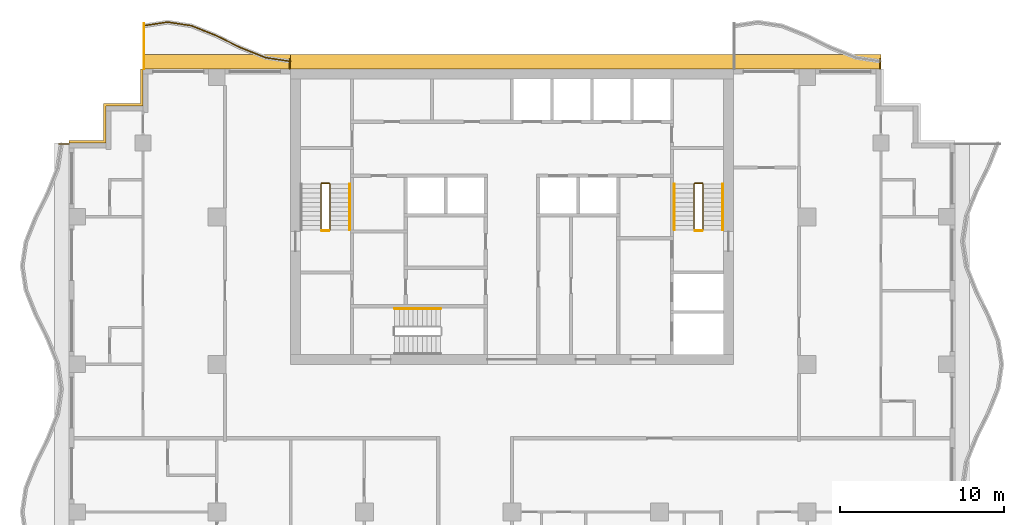
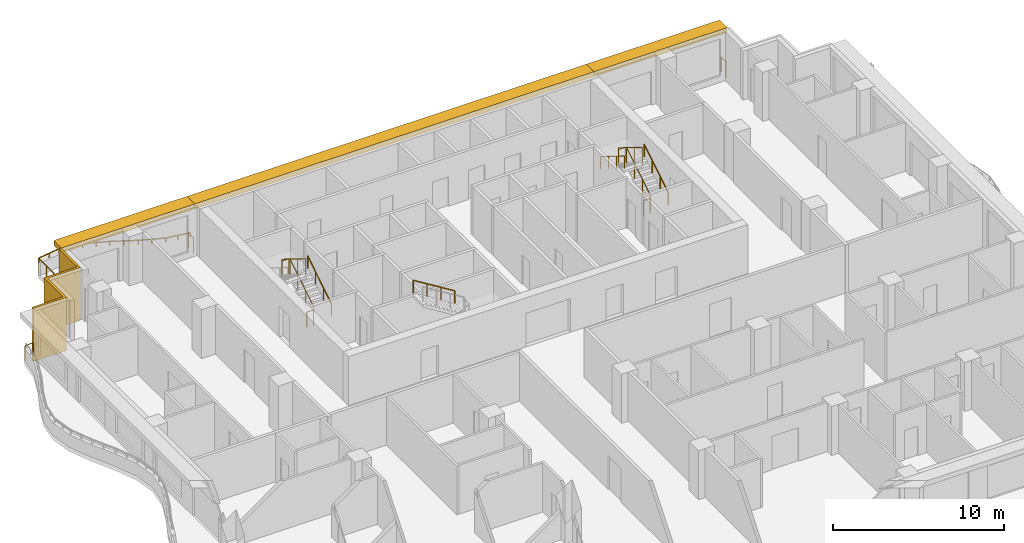
# One storey, part 11 of 12: 13 railings, 4 shading devices.
"""IFC4 building model written with IfcOpenShell, lengths in metres."""

from ifc_helpers import new_model, si_unit, direction, frame, origin, origin_2d, place, context, subcontext, project, spatial, polyline, rectangle, circle, outline, extrude, material, layer, layer_set, type_object, element, save


model = new_model("IFC4")

# Units and contexts
model_context = context("Model", 3, precision=1e-05, world=origin(), true_north=direction((0.0, 1.0)))
body_context = subcontext(model_context, "Body", "Model", "MODEL_VIEW")
ifc_project = project(units=[si_unit("LENGTHUNIT", "METRE"), si_unit("AREAUNIT", "SQUARE_METRE"), si_unit("VOLUMEUNIT", "CUBIC_METRE"), si_unit("PLANEANGLEUNIT", "RADIAN"), si_unit("MASSUNIT", "GRAM", prefix="KILO")], contexts=[model_context])

# Site, building, storey
site_placement = place(None, origin())
site = spatial("IfcSite", under=ifc_project, at=site_placement, CompositionType="ELEMENT")
building_placement = place(site_placement, origin())
building = spatial("IfcBuilding", under=site, at=building_placement, Name="Orbiselva Terraces", CompositionType="ELEMENT")
storey_placement = place(building_placement, frame((0.0, 0.0, 203.4)))
storey = spatial("IfcBuildingStorey", under=building, at=storey_placement, Name="L51", CompositionType="ELEMENT", Elevation=203.4)

# Railings
ifc_material_1 = material(Name="Stainless steel", Category="steel")
railing_type_1 = type_object("IfcRailingType", Name="CORE-GUARD-1100", PredefinedType="GUARDRAIL", material=ifc_material_1)
railing_1_placement = place(storey_placement, frame((-11.1, 12.7, 0.172727)))
element("IfcRailing", 1, at=railing_1_placement, inside=storey, type_object=railing_type_1, Name="L51 S1 stair guard 1", PredefinedType="GUARDRAIL", context=body_context, shape_type="SweptSolid", body=[
    extrude(circle(Radius=0.024, at=origin_2d()), frame((0.0, 0.0, 1.081), z_axis=(0.0, 0.851088519012, 0.52502222125), x_axis=(-1.0, 0.0, 0.0)), (0.0, 0.0, 1.0), 3.289905),
    extrude(circle(Radius=0.024, at=origin_2d()), frame((0.0, 2.8, 2.808273), z_axis=(-0.707106781187, 0.707106781187, 0.0), x_axis=(-0.707106781187, -0.707106781187, 0.0)), (0.0, 0.0, 1.0), 0.070711),
    extrude(circle(Radius=0.024, at=origin_2d()), frame((-0.05, 2.85, 2.808273), z_axis=(-1.0, 0.0, 0.0), x_axis=(0.0, -1.0, 0.0)), (0.0, 0.0, 1.0), 0.45),
    extrude(circle(Radius=0.024, at=origin_2d()), frame((-0.5, 2.85, 2.808273), z_axis=(-0.267894925557, -0.267894925557, 0.925453736133), x_axis=(0.707106781187, -0.707106781187, 0.0)), (0.0, 0.0, 1.0), 0.18664),
    extrude(circle(Radius=0.024, at=origin_2d()), frame((-0.55, 2.8, 2.981), z_axis=(0.0, -0.851088519012, 0.52502222125), x_axis=(1.0, 0.0, 0.0)), (0.0, 0.0, 1.0), 3.289905),
    extrude(circle(Radius=0.021, at=origin_2d()), origin(), (0.0, 0.0, 1.0), 1.057),
    extrude(circle(Radius=0.021, at=origin_2d()), frame((0.0, 0.933333, 0.575758)), (0.0, 0.0, 1.0), 1.057),
    extrude(circle(Radius=0.021, at=origin_2d()), frame((0.0, 1.866667, 1.151515)), (0.0, 0.0, 1.0), 1.057),
    extrude(circle(Radius=0.021, at=origin_2d()), frame((0.0, 2.8, 1.727273)), (0.0, 0.0, 1.0), 1.057),
    extrude(circle(Radius=0.021, at=origin_2d()), frame((-0.05, 2.85, 1.727273)), (0.0, 0.0, 1.0), 1.057),
    extrude(circle(Radius=0.021, at=origin_2d()), frame((-0.5, 2.85, 1.727273)), (0.0, 0.0, 1.0), 1.057),
    extrude(circle(Radius=0.021, at=origin_2d()), frame((-0.55, 2.8, 1.9)), (0.0, 0.0, 1.0), 1.057),
    extrude(circle(Radius=0.021, at=origin_2d()), frame((-0.55, 1.866667, 2.475758)), (0.0, 0.0, 1.0), 1.057),
    extrude(circle(Radius=0.021, at=origin_2d()), frame((-0.55, 0.933333, 3.051515)), (0.0, 0.0, 1.0), 1.057),
    extrude(circle(Radius=0.021, at=origin_2d()), frame((-0.55, 0.0, 3.627273)), (0.0, 0.0, 1.0), 1.057),
])
railing_2_placement = place(storey_placement, frame((-11.15, 12.65, 0.0)))
element("IfcRailing", 2, at=railing_2_placement, inside=storey, type_object=railing_type_1, Name="L51 S1 stair guard 2", PredefinedType="GUARDRAIL", context=body_context, shape_type="SweptSolid", body=[
    extrude(circle(Radius=0.024, at=origin_2d()), frame((0.0, 0.0, 1.081), z_axis=(-1.0, 0.0, 0.0), x_axis=(0.0, -1.0, 0.0)), (0.0, 0.0, 1.0), 0.45),
    extrude(circle(Radius=0.021, at=origin_2d()), origin(), (0.0, 0.0, 1.0), 1.057),
    extrude(circle(Radius=0.021, at=origin_2d()), frame((-0.45, 0.0, 0.0)), (0.0, 0.0, 1.0), 1.057),
])
railing_3_placement = place(storey_placement, frame((11.65, 12.7, 0.172727)))
element("IfcRailing", 3, at=railing_3_placement, inside=storey, type_object=railing_type_1, Name="L51 S2 stair guard 1", PredefinedType="GUARDRAIL", context=body_context, shape_type="SweptSolid", body=[
    extrude(circle(Radius=0.024, at=origin_2d()), frame((0.0, 0.0, 1.081), z_axis=(0.0, 0.851088519012, 0.52502222125), x_axis=(-1.0, 0.0, 0.0)), (0.0, 0.0, 1.0), 3.289905),
    extrude(circle(Radius=0.024, at=origin_2d()), frame((0.0, 2.8, 2.808273), z_axis=(-0.707106781187, 0.707106781187, 0.0), x_axis=(-0.707106781187, -0.707106781187, 0.0)), (0.0, 0.0, 1.0), 0.070711),
    extrude(circle(Radius=0.024, at=origin_2d()), frame((-0.05, 2.85, 2.808273), z_axis=(-1.0, 0.0, 0.0), x_axis=(0.0, -1.0, 0.0)), (0.0, 0.0, 1.0), 0.45),
    extrude(circle(Radius=0.024, at=origin_2d()), frame((-0.5, 2.85, 2.808273), z_axis=(-0.267894925557, -0.267894925557, 0.925453736133), x_axis=(0.707106781187, -0.707106781187, 0.0)), (0.0, 0.0, 1.0), 0.18664),
    extrude(circle(Radius=0.024, at=origin_2d()), frame((-0.55, 2.8, 2.981), z_axis=(0.0, -0.851088519012, 0.52502222125), x_axis=(1.0, 0.0, 0.0)), (0.0, 0.0, 1.0), 3.289905),
    extrude(circle(Radius=0.021, at=origin_2d()), origin(), (0.0, 0.0, 1.0), 1.057),
    extrude(circle(Radius=0.021, at=origin_2d()), frame((0.0, 0.933333, 0.575758)), (0.0, 0.0, 1.0), 1.057),
    extrude(circle(Radius=0.021, at=origin_2d()), frame((0.0, 1.866667, 1.151515)), (0.0, 0.0, 1.0), 1.057),
    extrude(circle(Radius=0.021, at=origin_2d()), frame((0.0, 2.8, 1.727273)), (0.0, 0.0, 1.0), 1.057),
    extrude(circle(Radius=0.021, at=origin_2d()), frame((-0.05, 2.85, 1.727273)), (0.0, 0.0, 1.0), 1.057),
    extrude(circle(Radius=0.021, at=origin_2d()), frame((-0.5, 2.85, 1.727273)), (0.0, 0.0, 1.0), 1.057),
    extrude(circle(Radius=0.021, at=origin_2d()), frame((-0.55, 2.8, 1.9)), (0.0, 0.0, 1.0), 1.057),
    extrude(circle(Radius=0.021, at=origin_2d()), frame((-0.55, 1.866667, 2.475758)), (0.0, 0.0, 1.0), 1.057),
    extrude(circle(Radius=0.021, at=origin_2d()), frame((-0.55, 0.933333, 3.051515)), (0.0, 0.0, 1.0), 1.057),
    extrude(circle(Radius=0.021, at=origin_2d()), frame((-0.55, 0.0, 3.627273)), (0.0, 0.0, 1.0), 1.057),
])
railing_4_placement = place(storey_placement, frame((11.6, 12.65, 0.0)))
element("IfcRailing", 4, at=railing_4_placement, inside=storey, type_object=railing_type_1, Name="L51 S2 stair guard 2", PredefinedType="GUARDRAIL", context=body_context, shape_type="SweptSolid", body=[
    extrude(circle(Radius=0.024, at=origin_2d()), frame((0.0, 0.0, 1.081), z_axis=(-1.0, 0.0, 0.0), x_axis=(0.0, -1.0, 0.0)), (0.0, 0.0, 1.0), 0.45),
    extrude(circle(Radius=0.021, at=origin_2d()), origin(), (0.0, 0.0, 1.0), 1.057),
    extrude(circle(Radius=0.021, at=origin_2d()), frame((-0.45, 0.0, 0.0)), (0.0, 0.0, 1.0), 1.057),
])
railing_type_2 = type_object("IfcRailingType", Name="CORE-HANDRAIL-900", PredefinedType="HANDRAIL", material=ifc_material_1)
for number, where, name in (
    (5, (-9.9, 12.7, 0.172727), "L51 S1 stair handrail 1"),
    (6, (12.85, 12.7, 0.172727), "L51 S2 stair handrail 1"),
):
    element("IfcRailing", number, at=place(storey_placement, frame(where)), inside=storey, type_object=railing_type_2, Name=name, PredefinedType="HANDRAIL", context=body_context, shape_type="SweptSolid", body=[
        extrude(circle(Radius=0.024, at=origin_2d()), frame((0.0, 0.0, 0.876), z_axis=(0.0, 0.851088519012, 0.52502222125), x_axis=(-1.0, 0.0, 0.0)), (0.0, 0.0, 1.0), 3.289905),
        extrude(circle(Radius=0.021, at=origin_2d()), origin(), (0.0, 0.0, 1.0), 0.852),
        extrude(circle(Radius=0.021, at=origin_2d()), frame((0.0, 0.933333, 0.575758)), (0.0, 0.0, 1.0), 0.852),
        extrude(circle(Radius=0.021, at=origin_2d()), frame((0.0, 1.866667, 1.151515)), (0.0, 0.0, 1.0), 0.852),
        extrude(circle(Radius=0.021, at=origin_2d()), frame((0.0, 2.8, 1.727273)), (0.0, 0.0, 1.0), 0.852),
    ])
railing_5_placement = place(storey_placement, frame((9.9, 15.5, 2.072727)))
element("IfcRailing", 7, at=railing_5_placement, inside=storey, type_object=railing_type_2, Name="L51 S2 stair handrail 2", PredefinedType="HANDRAIL", context=body_context, shape_type="SweptSolid", body=[
    extrude(circle(Radius=0.024, at=origin_2d()), frame((0.0, 0.0, 0.876), z_axis=(0.0, -0.851088519012, 0.52502222125), x_axis=(1.0, 0.0, 0.0)), (0.0, 0.0, 1.0), 3.289905),
    extrude(circle(Radius=0.021, at=origin_2d()), origin(), (0.0, 0.0, 1.0), 0.852),
    extrude(circle(Radius=0.021, at=origin_2d()), frame((0.0, -0.933333, 0.575758)), (0.0, 0.0, 1.0), 0.852),
    extrude(circle(Radius=0.021, at=origin_2d()), frame((0.0, -1.866667, 1.151515)), (0.0, 0.0, 1.0), 0.852),
    extrude(circle(Radius=0.021, at=origin_2d()), frame((0.0, -2.8, 1.727273)), (0.0, 0.0, 1.0), 0.852),
])
railing_6_placement = place(storey_placement, frame((-4.35, 7.9, 2.072727)))
element("IfcRailing", 8, at=railing_6_placement, inside=storey, type_object=railing_type_2, Name="L51 S3 stair handrail 2", PredefinedType="HANDRAIL", context=body_context, shape_type="SweptSolid", body=[
    extrude(circle(Radius=0.024, at=origin_2d()), frame((0.0, 0.0, 0.876), z_axis=(-0.851088519012, 0.0, 0.52502222125), x_axis=(0.0, -1.0, 0.0)), (0.0, 0.0, 1.0), 3.289905),
    extrude(circle(Radius=0.021, at=origin_2d()), origin(), (0.0, 0.0, 1.0), 0.852),
    extrude(circle(Radius=0.021, at=origin_2d()), frame((-0.933333, 0.0, 0.575758)), (0.0, 0.0, 1.0), 0.852),
    extrude(circle(Radius=0.021, at=origin_2d()), frame((-1.866667, 0.0, 1.151515)), (0.0, 0.0, 1.0), 0.852),
    extrude(circle(Radius=0.021, at=origin_2d()), frame((-2.8, 0.0, 1.727273)), (0.0, 0.0, 1.0), 0.852),
])
ifc_material_2 = material(Name="Bonded two-ply safety glass balustrade, stainless steel posts", Category="steel")
railing_type_3 = type_object("IfcRailingType", Name="ENV-BALUSTRADE-1200", PredefinedType="BALUSTRADE", material=ifc_material_2)
railing_7_placement = place(storey_placement, frame((-13.518879, 22.976434, 0.9)))
element("IfcRailing", 9, at=railing_7_placement, inside=storey, type_object=railing_type_3, Name="Balcony balustrade L51 NW", PredefinedType="BALUSTRADE", context=body_context, shape_type="SweptSolid", body=[
    extrude(outline(polyline([(0.028868, 0.0), (0.014434, 0.025), (-0.014434, 0.025), (-0.028868, 0.0), (-0.014434, -0.025), (0.014434, -0.025), (0.028868, 0.0)])), frame((0.0, 0.0, 0.275), z_axis=(-0.988528588529, 0.151033869252, 0.0), x_axis=(-0.151033869252, -0.988528588529, 0.0)), (0.0, 0.0, 1.0), 1.531776),
    extrude(outline(polyline([(0.028868, 0.0), (0.014434, 0.025), (-0.014434, 0.025), (-0.028868, 0.0), (-0.014434, -0.025), (0.014434, -0.025), (0.028868, 0.0)])), frame((-1.514204, 0.23135, 0.275), z_axis=(-0.92847681744, 0.371390359967, 0.0), x_axis=(-0.371390359967, -0.92847681744, 0.0)), (0.0, 0.0, 1.0), 1.634838),
    extrude(outline(polyline([(0.028868, 0.0), (0.014434, 0.025), (-0.014434, 0.025), (-0.028868, 0.0), (-0.014434, -0.025), (0.014434, -0.025), (0.028868, 0.0)])), frame((-3.032113, 0.838513, 0.275), z_axis=(-0.896416672454, 0.443212307306, 0.0), x_axis=(-0.443212307306, -0.896416672454, 0.0)), (0.0, 0.0, 1.0), 1.673329),
    extrude(outline(polyline([(0.028868, 0.0), (0.014434, 0.025), (-0.014434, 0.025), (-0.028868, 0.0), (-0.014434, -0.025), (0.014434, -0.025), (0.028868, 0.0)])), frame((-4.532113, 1.580153, 0.275), z_axis=(-0.928476561272, 0.371391000387, 0.0), x_axis=(-0.371391000387, -0.928476561272, 0.0)), (0.0, 0.0, 1.0), 1.596261),
    extrude(outline(polyline([(0.028868, 0.0), (0.014434, 0.025), (-0.014434, 0.025), (-0.028868, 0.0), (-0.014434, -0.025), (0.014434, -0.025), (0.028868, 0.0)])), frame((-6.014204, 2.17299, 0.275), z_axis=(-0.988528606898, 0.151033749027, 0.0), x_axis=(-0.151033749027, -0.988528606898, 0.0)), (0.0, 0.0, 1.0), 1.48394),
    extrude(outline(polyline([(0.028868, 0.0), (0.014434, 0.025), (-0.014434, 0.025), (-0.028868, 0.0), (-0.014434, -0.025), (0.014434, -0.025), (0.028868, 0.0)])), frame((-7.481121, 2.397115, 0.275), z_axis=(-0.988528624669, -0.151033632714, 0.0), x_axis=(0.151033632714, -0.988528624669, 0.0)), (0.0, 0.0, 1.0), 1.498309),
    extrude(rectangle(XDim=0.05, YDim=0.05, at=origin_2d()), origin(), (0.0, 0.0, 1.0), 0.25),
    extrude(rectangle(XDim=0.05, YDim=0.05, at=origin_2d()), frame((-0.757102, 0.115675, 0.0)), (0.0, 0.0, 1.0), 0.25),
    extrude(rectangle(XDim=0.05, YDim=0.05, at=origin_2d()), frame((-1.514204, 0.23135, 0.0)), (0.0, 0.0, 1.0), 0.25),
    extrude(rectangle(XDim=0.05, YDim=0.05, at=origin_2d()), frame((-2.273158, 0.534931, 0.0)), (0.0, 0.0, 1.0), 0.25),
    extrude(rectangle(XDim=0.05, YDim=0.05, at=origin_2d()), frame((-3.032113, 0.838513, 0.0)), (0.0, 0.0, 1.0), 0.25),
    extrude(rectangle(XDim=0.05, YDim=0.05, at=origin_2d()), frame((-3.782113, 1.209333, 0.0)), (0.0, 0.0, 1.0), 0.25),
    extrude(rectangle(XDim=0.05, YDim=0.05, at=origin_2d()), frame((-4.532113, 1.580153, 0.0)), (0.0, 0.0, 1.0), 0.25),
    extrude(rectangle(XDim=0.05, YDim=0.05, at=origin_2d()), frame((-5.273159, 1.876571, 0.0)), (0.0, 0.0, 1.0), 0.25),
    extrude(rectangle(XDim=0.05, YDim=0.05, at=origin_2d()), frame((-6.014204, 2.17299, 0.0)), (0.0, 0.0, 1.0), 0.25),
    extrude(rectangle(XDim=0.05, YDim=0.05, at=origin_2d()), frame((-6.747663, 2.285052, 0.0)), (0.0, 0.0, 1.0), 0.25),
    extrude(rectangle(XDim=0.05, YDim=0.05, at=origin_2d()), frame((-7.481121, 2.397115, 0.0)), (0.0, 0.0, 1.0), 0.25),
    extrude(rectangle(XDim=0.05, YDim=0.05, at=origin_2d()), frame((-8.221682, 2.283967, 0.0)), (0.0, 0.0, 1.0), 0.25),
    extrude(rectangle(XDim=0.05, YDim=0.05, at=origin_2d()), frame((-8.962242, 2.17082, 0.0)), (0.0, 0.0, 1.0), 0.25),
])
ifc_material_3 = material(Name="Stainless steel rail and posts", Category="steel")
railing_type_4 = type_object("IfcRailingType", Name="ENV-GUARD-1105", PredefinedType="BALUSTRADE", material=ifc_material_3)
for number, where, name in (
    (10, (22.44, 23.100379, 0.0), "Balcony end guard L51 NE"),
    (11, (-13.56, 23.100379, 0.0), "Balcony end guard L51 NW"),
):
    element("IfcRailing", number, at=place(storey_placement, frame(where)), inside=storey, type_object=railing_type_4, Name=name, PredefinedType="BALUSTRADE", context=body_context, shape_type="SweptSolid", body=[
        extrude(outline(polyline([(0.028868, 0.0), (0.014434, 0.025), (-0.014434, 0.025), (-0.028868, 0.0), (-0.014434, -0.025), (0.014434, -0.025), (0.028868, 0.0)])), frame((0.0, 0.0, 1.08), z_axis=(0.0, -1.0, 0.0), x_axis=(1.0, 0.0, 0.0)), (0.0, 0.0, 1.0), 0.575379),
        extrude(rectangle(XDim=0.05, YDim=0.05, at=origin_2d()), origin(), (0.0, 0.0, 1.0), 1.055),
        extrude(rectangle(XDim=0.05, YDim=0.05, at=origin_2d()), frame((0.0, -0.575379, 0.0)), (0.0, 0.0, 1.0), 1.055),
    ])
railing_8_placement = place(storey_placement, frame((-22.44, 25.288239, 0.0)))
element("IfcRailing", 12, at=railing_8_placement, inside=storey, type_object=railing_type_4, Name="Balcony end guard L51 NW", PredefinedType="BALUSTRADE", context=body_context, shape_type="SweptSolid", body=[
    extrude(outline(polyline([(0.028868, 0.0), (0.014434, 0.025), (-0.014434, 0.025), (-0.028868, 0.0), (-0.014434, -0.025), (0.014434, -0.025), (0.028868, 0.0)])), frame((0.0, 0.0, 1.08), z_axis=(0.0, -1.0, 0.0), x_axis=(1.0, 0.0, 0.0)), (0.0, 0.0, 1.0), 2.763239),
    extrude(rectangle(XDim=0.05, YDim=0.05, at=origin_2d()), origin(), (0.0, 0.0, 1.0), 1.055),
    extrude(rectangle(XDim=0.05, YDim=0.05, at=origin_2d()), frame((0.0, -0.92108, 0.0)), (0.0, 0.0, 1.0), 1.055),
    extrude(rectangle(XDim=0.05, YDim=0.05, at=origin_2d()), frame((0.0, -1.842159, 0.0)), (0.0, 0.0, 1.0), 1.055),
    extrude(rectangle(XDim=0.05, YDim=0.05, at=origin_2d()), frame((0.0, -2.763239, 0.0)), (0.0, 0.0, 1.0), 1.055),
])
railing_9_placement = place(storey_placement, frame((-27.600379, 17.94, 0.0)))
element("IfcRailing", 13, at=railing_9_placement, inside=storey, type_object=railing_type_4, Name="Balcony end guard L51 W", PredefinedType="BALUSTRADE", context=body_context, shape_type="SweptSolid", body=[
    extrude(outline(polyline([(0.028868, 0.0), (0.014434, 0.025), (-0.014434, 0.025), (-0.028868, 0.0), (-0.014434, -0.025), (0.014434, -0.025), (0.028868, 0.0)])), frame((0.0, 0.0, 1.08), z_axis=(1.0, 0.0, 0.0), x_axis=(0.0, 1.0, 0.0)), (0.0, 0.0, 1.0), 0.575379),
    extrude(rectangle(XDim=0.05, YDim=0.05, at=origin_2d()), origin(), (0.0, 0.0, 1.0), 1.055),
    extrude(rectangle(XDim=0.05, YDim=0.05, at=origin_2d()), frame((0.575379, 0.0, 0.0)), (0.0, 0.0, 1.0), 1.055),
])

# Shading devices
ifc_material_4 = material(Name="Terracotta louvre screen", Category="masonry")
ifc_layer_1 = layer(ifc_material_4, 0.15)
ifc_layer_set_1 = layer_set([ifc_layer_1], Name="Terracotta louvre screen")
shading_device_type_1 = type_object("IfcShadingDeviceType", Name="ENV-SCREEN-150", PredefinedType="USERDEFINED", material=ifc_layer_set_1)
shading_device_1_placement = place(storey_placement, frame((0.0, 0.0, -0.3)))
element("IfcShadingDevice", 14, at=shading_device_1_placement, inside=storey, type_object=shading_device_type_1, Name="Louvre screen L51 NW", ObjectType="SCREEN", PredefinedType="USERDEFINED", context=body_context, shape_type="SweptSolid", body=[
    extrude(outline(polyline([(-22.65, 22.5), (-22.65, 20.4), (-24.9, 20.4), (-24.9, 18.15), (-27.0, 18.15), (-27.0, 18.0), (-24.75, 18.0), (-24.75, 20.25), (-22.5, 20.25), (-22.5, 22.5), (-22.65, 22.5)])), origin(), (0.0, 0.0, 1.0), 3.8),
])
ifc_material_5 = material(Name="Terracotta baguette sunshade", Category="masonry")
ifc_layer_2 = layer(ifc_material_5, 0.35)
ifc_layer_set_2 = layer_set([ifc_layer_2], Name="Terracotta baguette sunshade")
shading_device_type_2 = type_object("IfcShadingDeviceType", Name="ENV-SUNSHADE-900x350", PredefinedType="USERDEFINED", material=ifc_layer_set_2)
shading_device_2_placement = place(storey_placement, frame((0.0, 0.0, 3.15)))
element("IfcShadingDevice", 15, at=shading_device_2_placement, inside=storey, type_object=shading_device_type_2, Name="Sunshade band L51 NE", ObjectType="SUNSHADE", PredefinedType="USERDEFINED", context=body_context, shape_type="SweptSolid", body=[
    extrude(outline(polyline([(22.5, 23.4), (13.5, 23.4), (13.5, 22.5), (22.5, 22.5), (22.5, 23.4)])), origin(), (0.0, 0.0, 1.0), 0.35),
])
shading_device_3_placement = place(storey_placement, frame((0.0, 0.0, 3.15)))
element("IfcShadingDevice", 16, at=shading_device_3_placement, inside=storey, type_object=shading_device_type_2, Name="Sunshade band L51 CORE NORTH", ObjectType="SUNSHADE", PredefinedType="USERDEFINED", context=body_context, shape_type="SweptSolid", body=[
    extrude(outline(polyline([(13.5, 23.4), (-13.5, 23.4), (-13.5, 22.5), (13.5, 22.5), (13.5, 23.4)])), origin(), (0.0, 0.0, 1.0), 0.35),
])
shading_device_4_placement = place(storey_placement, frame((0.0, 0.0, 3.15)))
element("IfcShadingDevice", 17, at=shading_device_4_placement, inside=storey, type_object=shading_device_type_2, Name="Sunshade band L51 NW", ObjectType="SUNSHADE", PredefinedType="USERDEFINED", context=body_context, shape_type="SweptSolid", body=[
    extrude(outline(polyline([(-13.5, 23.4), (-22.5, 23.4), (-22.5, 22.5), (-13.5, 22.5), (-13.5, 23.4)])), origin(), (0.0, 0.0, 1.0), 0.35),
])

save(model, "model.ifc")
